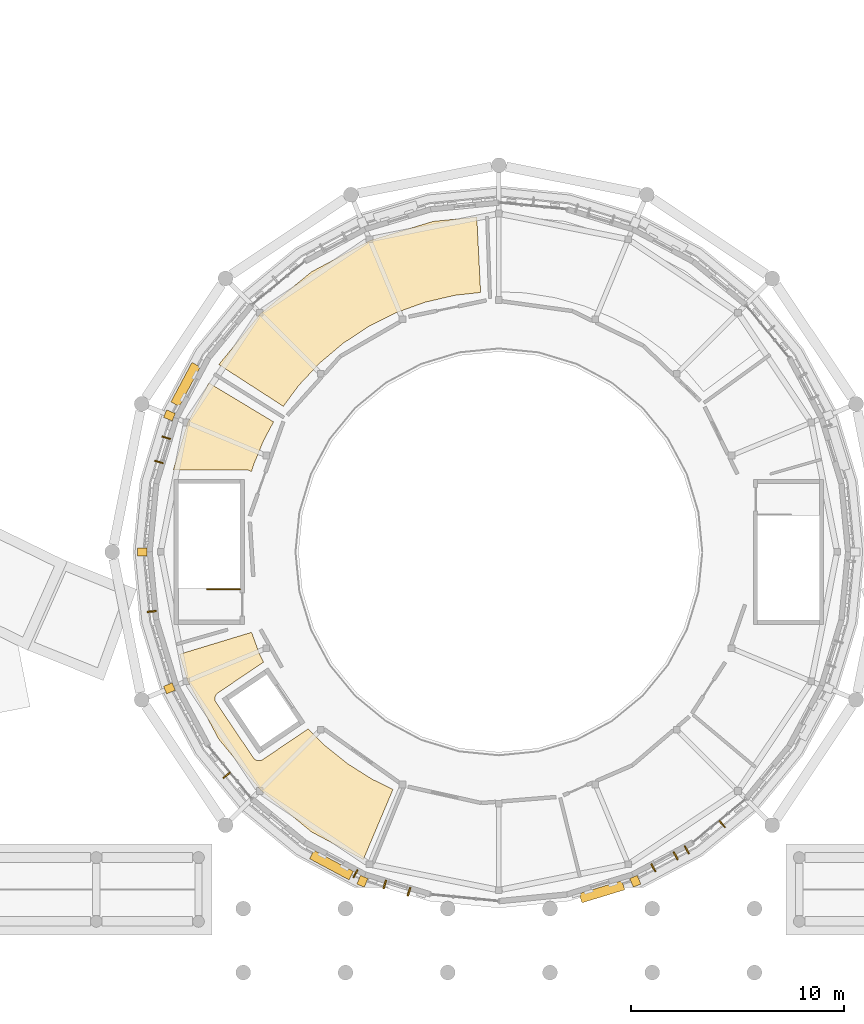
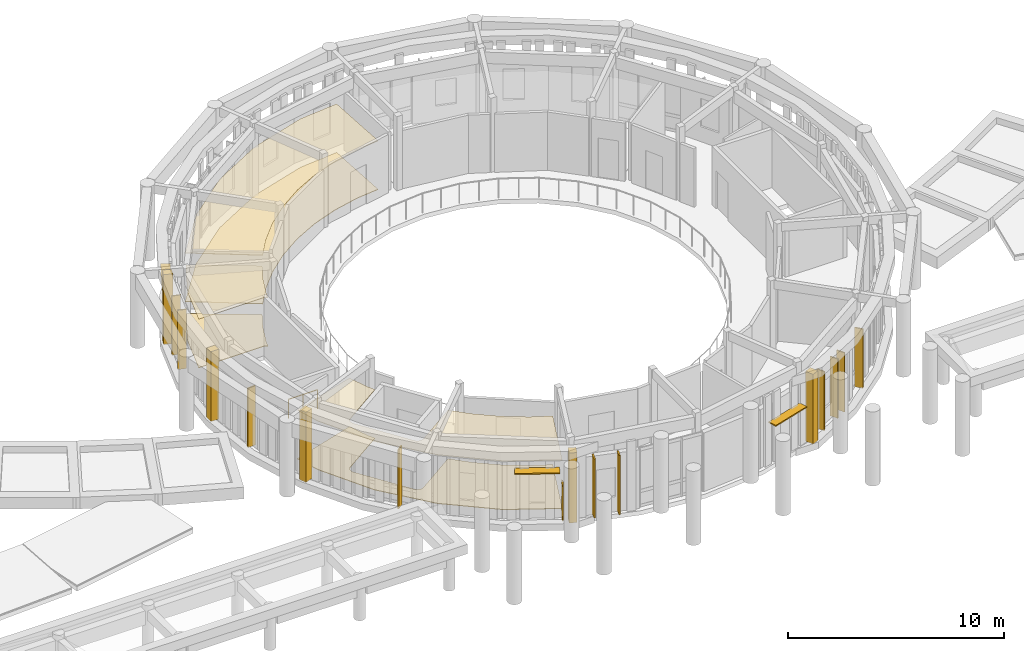
# One storey, part 69 of 80: 14 shading devices, 11 coverings, 1 railing.
"""IFC4 building model written with IfcOpenShell, lengths in metres."""

from ifc_helpers import new_model, si_unit, direction, frame, origin, origin_2d, place, context, subcontext, project, spatial, polyline, rectangle, circle, outline, extrude, material, layer, layer_set, type_object, element, save


model = new_model("IFC4")

# Units and contexts
model_context = context("Model", 3, precision=1e-05, world=origin(), true_north=direction((0.0, 1.0)))
body_context = subcontext(model_context, "Body", "Model", "MODEL_VIEW")
ifc_project = project(units=[si_unit("LENGTHUNIT", "METRE"), si_unit("AREAUNIT", "SQUARE_METRE"), si_unit("VOLUMEUNIT", "CUBIC_METRE"), si_unit("PLANEANGLEUNIT", "RADIAN"), si_unit("MASSUNIT", "GRAM", prefix="KILO")], contexts=[model_context])

# Site, building, storey
site_placement = place(None, origin())
site = spatial("IfcSite", under=ifc_project, at=site_placement, CompositionType="ELEMENT")
building_placement = place(site_placement, origin())
building = spatial("IfcBuilding", under=site, at=building_placement, Name="Aldenvaro Health Centre", CompositionType="ELEMENT")
storey_placement = place(building_placement, frame((0.0, 0.0, 4.550048828125)))
storey = spatial("IfcBuildingStorey", under=building, at=storey_placement, Name="L01", CompositionType="ELEMENT", Elevation=4.550048828125)

# Coverings
ifc_material_1 = material(Name="Perforated Douglas Fir Slatted Ceiling")
ifc_layer_1 = layer(ifc_material_1, 0.031982421875, Name="Perforated Douglas Fir Slatted Ceiling")
ifc_layer_set_1 = layer_set([ifc_layer_1], Name="Perforated Douglas Fir Slatted Ceiling")
covering_type_1 = type_object("IfcCoveringType", Name="COV-CLG-WD32", PredefinedType="CEILING", material=ifc_layer_set_1)
covering_1_placement = place(storey_placement, frame((0.0, 0.0, 2.75)))
element("IfcCovering", 1, at=covering_1_placement, inside=storey, type_object=covering_type_1, Name="D1-L01-R02 Suspended Ceiling", PredefinedType="CEILING", context=body_context, shape_type="SweptSolid", body=[
    extrude(outline(polyline([(73.85107421875, 28.7919921875), (75.81396484375, 31.18603515625), (78.2119140625, 33.153076171875), (80.946044921875, 34.614013671875), (83.9140625, 35.514892578125), (85.964111328125, 35.716064453125), (86.14306640625, 32.177978515625), (84.9599609375, 32.048095703125), (84.931884765625, 32.04296875), (83.552978515625, 31.722900390625), (83.52587890625, 31.715087890625), (82.194091796875, 31.235107421875), (82.16796875, 31.22412109375), (80.902099609375, 30.590087890625), (80.8779296875, 30.574951171875), (79.696044921875, 29.7958984375), (79.673095703125, 29.779052734375), (78.591064453125, 28.865966796875), (78.571044921875, 28.846923828125), (77.60400390625, 27.81201171875), (77.5859375, 27.7900390625), (76.882080078125, 26.83203125), (73.85107421875, 28.7919921875)])), origin(), (0.0, 0.0, 1.0), 0.031982421875),
])
covering_2_placement = place(storey_placement, frame((0.0, 0.0, 2.75)))
element("IfcCovering", 2, at=covering_2_placement, inside=storey, type_object=covering_type_1, Name="D1-L01-R03 Suspended Ceiling", PredefinedType="CEILING", context=body_context, shape_type="SweptSolid", body=[
    extrude(outline(polyline([(75.385009765625, 23.757080078125), (75.382080078125, 23.760009765625), (75.364013671875, 23.77490234375), (75.35693359375, 23.779052734375), (75.337890625, 23.7919921875), (75.3310546875, 23.7958984375), (75.31005859375, 23.80810546875), (75.302978515625, 23.81103515625), (75.281005859375, 23.820068359375), (75.27392578125, 23.822998046875), (75.251953125, 23.8291015625), (75.243896484375, 23.8310546875), (75.220947265625, 23.8359375), (75.212890625, 23.8369140625), (75.18994140625, 23.839111328125), (75.181884765625, 23.840087890625), (75.169921875, 23.840087890625), (71.714111328125, 23.840087890625), (72.385986328125, 26.053955078125), (73.388916015625, 27.929931640625), (76.423095703125, 26.10009765625), (75.9599609375, 25.238037109375), (75.948974609375, 25.216064453125), (75.489013671875, 24.10009765625), (75.48095703125, 24.077880859375), (75.385009765625, 23.757080078125)])), origin(), (0.0, 0.0, 1.0), 0.031982421875),
])
covering_3_placement = place(storey_placement, frame((0.0, 0.0, 2.75)))
element("IfcCovering", 3, at=covering_3_placement, inside=storey, type_object=covering_type_1, Name="D1-L01-R04 Suspended Ceiling", PredefinedType="CEILING", context=body_context, shape_type="SweptSolid", body=[
    extrude(outline(polyline([(75.18896484375, 16.160888671875), (75.18994140625, 16.160888671875), (75.212890625, 16.1630859375), (75.220947265625, 16.1640625), (75.243896484375, 16.1689453125), (75.251953125, 16.1708984375), (75.27392578125, 16.177001953125), (75.281005859375, 16.179931640625), (75.302978515625, 16.18896484375), (75.31005859375, 16.19189453125), (75.3310546875, 16.2041015625), (75.33203125, 16.2041015625), (75.389892578125, 16.221923828125), (75.760986328125, 15.202880859375), (75.77197265625, 15.178955078125), (75.948974609375, 14.821044921875), (73.80908203125, 13.3759765625), (73.799072265625, 13.368896484375), (73.79296875, 13.364013671875), (73.77490234375, 13.34912109375), (73.76904296875, 13.343994140625), (73.751953125, 13.326904296875), (73.7470703125, 13.321044921875), (73.73193359375, 13.302978515625), (73.72802734375, 13.297119140625), (73.715087890625, 13.277099609375), (73.7109375, 13.27001953125), (73.699951171875, 13.25), (73.696044921875, 13.242919921875), (73.68701171875, 13.220947265625), (73.68505859375, 13.212890625), (73.677978515625, 13.19091796875), (73.676025390625, 13.18310546875), (73.672119140625, 13.159912109375), (73.6708984375, 13.152099609375), (73.66796875, 13.12890625), (73.66796875, 13.12109375), (73.66796875, 13.096923828125), (73.6689453125, 13.090087890625), (73.6708984375, 13.06591796875), (73.672119140625, 13.05810546875), (73.677001953125, 13.034912109375), (73.678955078125, 13.028076171875), (73.68603515625, 13.0048828125), (73.68798828125, 12.998046875), (73.697998046875, 12.97607421875), (73.700927734375, 12.968994140625), (73.7119140625, 12.947998046875), (73.716064453125, 12.94189453125), (73.722900390625, 12.931884765625), (75.472900390625, 10.3369140625), (75.47998046875, 10.326904296875), (75.485107421875, 10.321044921875), (75.5, 10.302978515625), (75.5048828125, 10.297119140625), (75.52197265625, 10.280029296875), (75.527099609375, 10.27490234375), (75.5458984375, 10.260009765625), (75.552001953125, 10.256103515625), (75.572021484375, 10.242919921875), (75.577880859375, 10.239013671875), (75.59912109375, 10.22802734375), (75.60595703125, 10.22412109375), (75.6279296875, 10.215087890625), (75.635986328125, 10.212890625), (75.657958984375, 10.2060546875), (75.666015625, 10.2041015625), (75.68896484375, 10.199951171875), (75.697021484375, 10.198974609375), (75.719970703125, 10.196044921875), (75.72802734375, 10.196044921875), (75.751953125, 10.196044921875), (75.759033203125, 10.197021484375), (75.782958984375, 10.198974609375), (75.791015625, 10.199951171875), (75.81396484375, 10.205078125), (75.821044921875, 10.20703125), (75.843994140625, 10.214111328125), (75.85107421875, 10.216064453125), (75.873046875, 10.22607421875), (75.8798828125, 10.22900390625), (75.90087890625, 10.239990234375), (75.906982421875, 10.243896484375), (75.9169921875, 10.2509765625), (78.051025390625, 11.69091796875), (78.85693359375, 10.888916015625), (78.876953125, 10.87109375), (79.902099609375, 10.052978515625), (79.923095703125, 10.0380859375), (81.031982421875, 9.3369140625), (81.054931640625, 9.323974609375), (82.029052734375, 8.847900390625), (80.635986328125, 5.552001953125), (78.2119140625, 6.846923828125), (75.81396484375, 8.81396484375), (73.846923828125, 11.2119140625), (72.385986328125, 13.946044921875), (72.007080078125, 15.194091796875), (75.18896484375, 16.160888671875)])), origin(), (0.0, 0.0, 1.0), 0.031982421875),
])
ifc_material_2 = material(Name="Honed Sonoran Buff Limestone", Category="masonry")
ifc_layer_2 = layer(ifc_material_2, 0.280029296875, Name="Honed Sonoran Buff Limestone", Category="masonry")
ifc_layer_set_2 = layer_set([ifc_layer_2], Name="Honed Sonoran Buff Limestone")
covering_type_2 = type_object("IfcCoveringType", Name="COV-CRN-STN", PredefinedType="CLADDING", material=ifc_layer_set_2)
for number, where, z_axis, x_axis, name in (
    (4, (93.406005859375, 4.533935546875, 0.0), (0.0, 0.0, 1.0), (0.382674902345, -0.923883065715, 0.0), "D1 L01 Engaged Classical Limestone Pilaster 04"),
    (5, (80.593994140625, 4.533935546875, 0.0), (0.0, 0.0, 1.0), (-0.382674902345, -0.923883065715, 0.0), "D1 L01 Engaged Classical Limestone Pilaster 06"),
    (6, (71.533935546875, 13.593994140625, 0.0), (0.0, 0.0, 1.0), (-0.923883065715, -0.382674902345, 0.0), "D1 L01 Engaged Classical Limestone Pilaster 08"),
    (7, (70.260009765625, 20.0, 0.0), (0.0, 0.0, 1.0), (-1.0, 0.0, 0.0), "D1 L01 Engaged Classical Limestone Pilaster 09"),
    (8, (71.533935546875, 26.406005859375, 0.0), (0.0, 0.0, 1.0), (-0.923883065715, 0.382674902345, 0.0), "D1 L01 Engaged Classical Limestone Pilaster 10"),
):
    element("IfcCovering", number, at=place(storey_placement, frame(where, z_axis=z_axis, x_axis=x_axis)), inside=storey, type_object=covering_type_2, Name=name, PredefinedType="CLADDING", context=body_context, shape_type="SweptSolid", body=[
        extrude(rectangle(XDim=0.43994140625, YDim=0.3798828125, at=origin_2d()), origin(), (0.0, 0.0, 1.0), 3.9599609375),
    ])
ifc_material_3 = material(Name="Honed Arizona Limestone Flooring", Category="masonry")
ifc_layer_3 = layer(ifc_material_3, 0.030029296875, Name="Honed Arizona Limestone Flooring", Category="masonry")
ifc_layer_set_3 = layer_set([ifc_layer_3], Name="Honed Arizona Limestone Flooring")
covering_type_3 = type_object("IfcCoveringType", Name="COV-FLR-STN30", PredefinedType="FLOORING", material=ifc_layer_set_3)
covering_4_placement = place(storey_placement, origin())
element("IfcCovering", 9, at=covering_4_placement, inside=storey, type_object=covering_type_3, Name="D1-L01-R02 Flooring", PredefinedType="FLOORING", context=body_context, shape_type="SweptSolid", body=[
    extrude(outline(polyline([(73.85107421875, 28.7919921875), (75.81396484375, 31.18603515625), (78.2119140625, 33.153076171875), (80.946044921875, 34.614013671875), (83.9140625, 35.514892578125), (85.964111328125, 35.716064453125), (86.14306640625, 32.177978515625), (84.9599609375, 32.048095703125), (84.931884765625, 32.04296875), (83.552978515625, 31.722900390625), (83.52587890625, 31.715087890625), (82.194091796875, 31.235107421875), (82.16796875, 31.22412109375), (80.902099609375, 30.590087890625), (80.8779296875, 30.574951171875), (79.696044921875, 29.7958984375), (79.673095703125, 29.779052734375), (78.591064453125, 28.865966796875), (78.571044921875, 28.846923828125), (77.60400390625, 27.81201171875), (77.5859375, 27.7900390625), (76.882080078125, 26.83203125), (73.85107421875, 28.7919921875)])), origin(), (0.0, 0.0, 1.0), 0.030029296875),
])
covering_5_placement = place(storey_placement, origin())
element("IfcCovering", 10, at=covering_5_placement, inside=storey, type_object=covering_type_3, Name="D1-L01-R03 Flooring", PredefinedType="FLOORING", context=body_context, shape_type="SweptSolid", body=[
    extrude(outline(polyline([(75.385009765625, 23.757080078125), (75.382080078125, 23.760009765625), (75.364013671875, 23.77490234375), (75.35693359375, 23.779052734375), (75.337890625, 23.7919921875), (75.3310546875, 23.7958984375), (75.31005859375, 23.80810546875), (75.302978515625, 23.81103515625), (75.281005859375, 23.820068359375), (75.27392578125, 23.822998046875), (75.251953125, 23.8291015625), (75.243896484375, 23.8310546875), (75.220947265625, 23.8359375), (75.212890625, 23.8369140625), (75.18994140625, 23.839111328125), (75.181884765625, 23.840087890625), (75.169921875, 23.840087890625), (71.714111328125, 23.840087890625), (72.385986328125, 26.053955078125), (73.388916015625, 27.929931640625), (76.423095703125, 26.10009765625), (75.9599609375, 25.238037109375), (75.948974609375, 25.216064453125), (75.489013671875, 24.10009765625), (75.48095703125, 24.077880859375), (75.385009765625, 23.757080078125)])), origin(), (0.0, 0.0, 1.0), 0.030029296875),
])
covering_6_placement = place(storey_placement, origin())
element("IfcCovering", 11, at=covering_6_placement, inside=storey, type_object=covering_type_3, Name="D1-L01-R04 Flooring", PredefinedType="FLOORING", context=body_context, shape_type="SweptSolid", body=[
    extrude(outline(polyline([(75.18896484375, 16.160888671875), (75.18994140625, 16.160888671875), (75.212890625, 16.1630859375), (75.220947265625, 16.1640625), (75.243896484375, 16.1689453125), (75.251953125, 16.1708984375), (75.27392578125, 16.177001953125), (75.281005859375, 16.179931640625), (75.302978515625, 16.18896484375), (75.31005859375, 16.19189453125), (75.3310546875, 16.2041015625), (75.33203125, 16.2041015625), (75.389892578125, 16.221923828125), (75.760986328125, 15.202880859375), (75.77197265625, 15.178955078125), (75.948974609375, 14.821044921875), (73.80908203125, 13.3759765625), (73.799072265625, 13.368896484375), (73.79296875, 13.364013671875), (73.77490234375, 13.34912109375), (73.76904296875, 13.343994140625), (73.751953125, 13.326904296875), (73.7470703125, 13.321044921875), (73.73193359375, 13.302978515625), (73.72802734375, 13.297119140625), (73.715087890625, 13.277099609375), (73.7109375, 13.27001953125), (73.699951171875, 13.25), (73.696044921875, 13.242919921875), (73.68701171875, 13.220947265625), (73.68505859375, 13.212890625), (73.677978515625, 13.19091796875), (73.676025390625, 13.18310546875), (73.672119140625, 13.159912109375), (73.6708984375, 13.152099609375), (73.66796875, 13.12890625), (73.66796875, 13.12109375), (73.66796875, 13.096923828125), (73.6689453125, 13.090087890625), (73.6708984375, 13.06591796875), (73.672119140625, 13.05810546875), (73.677001953125, 13.034912109375), (73.678955078125, 13.028076171875), (73.68603515625, 13.0048828125), (73.68798828125, 12.998046875), (73.697998046875, 12.97607421875), (73.700927734375, 12.968994140625), (73.7119140625, 12.947998046875), (73.716064453125, 12.94189453125), (73.722900390625, 12.931884765625), (75.472900390625, 10.3369140625), (75.47998046875, 10.326904296875), (75.485107421875, 10.321044921875), (75.5, 10.302978515625), (75.5048828125, 10.297119140625), (75.52197265625, 10.280029296875), (75.527099609375, 10.27490234375), (75.5458984375, 10.260009765625), (75.552001953125, 10.256103515625), (75.572021484375, 10.242919921875), (75.577880859375, 10.239013671875), (75.59912109375, 10.22802734375), (75.60595703125, 10.22412109375), (75.6279296875, 10.215087890625), (75.635986328125, 10.212890625), (75.657958984375, 10.2060546875), (75.666015625, 10.2041015625), (75.68896484375, 10.199951171875), (75.697021484375, 10.198974609375), (75.719970703125, 10.196044921875), (75.72802734375, 10.196044921875), (75.751953125, 10.196044921875), (75.759033203125, 10.197021484375), (75.782958984375, 10.198974609375), (75.791015625, 10.199951171875), (75.81396484375, 10.205078125), (75.821044921875, 10.20703125), (75.843994140625, 10.214111328125), (75.85107421875, 10.216064453125), (75.873046875, 10.22607421875), (75.8798828125, 10.22900390625), (75.90087890625, 10.239990234375), (75.906982421875, 10.243896484375), (75.9169921875, 10.2509765625), (78.051025390625, 11.69091796875), (78.85693359375, 10.888916015625), (78.876953125, 10.87109375), (79.902099609375, 10.052978515625), (79.923095703125, 10.0380859375), (81.031982421875, 9.3369140625), (81.054931640625, 9.323974609375), (82.029052734375, 8.847900390625), (80.635986328125, 5.552001953125), (78.2119140625, 6.846923828125), (75.81396484375, 8.81396484375), (73.846923828125, 11.2119140625), (72.385986328125, 13.946044921875), (72.007080078125, 15.194091796875), (75.18896484375, 16.160888671875)])), origin(), (0.0, 0.0, 1.0), 0.030029296875),
])

# Railing
ifc_material_4 = material(Name="Painted Architectural Steel", Category="steel")
railing_type = type_object("IfcRailingType", Name="RL-BAL-INT", PredefinedType="BALUSTRADE", material=ifc_material_4)
railing_placement = place(storey_placement, frame((74.85009765625, 18.25, 0.0)))
element("IfcRailing", 12, at=railing_placement, inside=storey, type_object=railing_type, Name="L01 ST-01 top well guard 1", PredefinedType="BALUSTRADE", context=body_context, shape_type="SweptSolid", body=[
    extrude(circle(Radius=0.02392578125, at=origin_2d()), frame((0.0, 0.0, 1.076171875), z_axis=(-1.0, 0.0, 0.0), x_axis=(0.0, -1.0, 0.0)), (0.0, 0.0, 1.0), 1.550048828125),
    extrude(circle(Radius=0.02099609375, at=origin_2d()), origin(), (0.0, 0.0, 1.0), 1.052001953125),
    extrude(circle(Radius=0.02099609375, at=origin_2d()), frame((-0.77490234375, 0.0, 0.0)), (0.0, 0.0, 1.0), 1.052001953125),
    extrude(circle(Radius=0.02099609375, at=origin_2d()), frame((-1.550048828125, 0.0, 0.0)), (0.0, 0.0, 1.0), 1.052001953125),
])

# Shading devices
ifc_material_5 = material(Name="Douglas Fir Exterior Glulam GL28h", Category="wood")
shading_device_type_1 = type_object("IfcShadingDeviceType", Name="SHD-FIN-205", PredefinedType="USERDEFINED", material=ifc_material_5)
shading_device_1_placement = place(storey_placement, frame((80.27099609375, 4.89208984375, -0.02001953125), z_axis=(0.0, 0.0, 1.0), x_axis=(-0.88183578132, 0.471556629455, 0.0)))
element("IfcShadingDevice", 13, at=shading_device_1_placement, inside=storey, type_object=shading_device_type_1, Name="D1 L01 Douglas fir fin 11.1", ObjectType="FIN", PredefinedType="USERDEFINED", context=body_context, shape_type="SweptSolid", body=[
    extrude(rectangle(XDim=0.06494140625, YDim=0.419921875, at=origin_2d()), origin(), (0.0, 0.0, 1.0), 2.050048828125),
])
shading_device_type_2 = type_object("IfcShadingDeviceType", Name="SHD-FIN-340", PredefinedType="USERDEFINED", material=ifc_material_5)
for number, where, z_axis, x_axis, name in (
    (14, (82.780029296875, 4.0419921875, -0.02001953125), (0.0, 0.0, 1.0), (-0.95697469172, 0.290171396605, 0.0), "D1 L01 Douglas fir fin 10.2"),
    (15, (81.64306640625, 4.385986328125, -0.02001953125), (0.0, 0.0, 1.0), (-0.95697469172, 0.290171396605, 0.0), "D1 L01 Douglas fir fin 10.4"),
    (16, (70.699951171875, 17.201904296875, -0.02001953125), (0.0, 0.0, 1.0), (-0.097994340783, 0.995186971968, 0.0), "D1 L01 Douglas fir fin 16.1"),
):
    element("IfcShadingDevice", number, at=place(storey_placement, frame(where, z_axis=z_axis, x_axis=x_axis)), inside=storey, type_object=shading_device_type_2, Name=name, ObjectType="FIN", PredefinedType="USERDEFINED", context=body_context, shape_type="SweptSolid", body=[
        extrude(rectangle(XDim=0.074951171875, YDim=0.419921875, at=origin_2d()), origin(), (0.0, 0.0, 1.0), 3.35400390625),
    ])
shading_device_type_3 = type_object("IfcShadingDeviceType", Name="SHD-FIN-420", PredefinedType="USERDEFINED", material=ifc_material_5)
shading_device_2_placement = place(storey_placement, frame((74.220947265625, 9.512939453125, -0.02001953125), z_axis=(0.0, 0.0, 1.0), x_axis=(-0.634168850528, 0.773194586776, 0.0)))
element("IfcShadingDevice", 17, at=shading_device_2_placement, inside=storey, type_object=shading_device_type_3, Name="D1 L01 vertical timber fin 13.0", ObjectType="FIN", PredefinedType="USERDEFINED", context=body_context, shape_type="SweptSolid", body=[
    extrude(rectangle(XDim=0.06494140625, YDim=0.419921875, at=origin_2d()), origin(), (0.0, 0.0, 1.0), 3.35400390625),
])
shading_device_type_4 = type_object("IfcShadingDeviceType", Name="SHD-FIN-435", PredefinedType="USERDEFINED", material=ifc_material_5)
for number, where, z_axis, x_axis, name in (
    (18, (95.822998046875, 6.011962890625, -0.02001953125), (0.0, 0.0, 1.0), (-0.88183578132, -0.471556629455, 0.0), "D1 L01 Douglas fir fin 6.1"),
    (19, (95.300048828125, 5.73193359375, -0.02001953125), (0.0, 0.0, 1.0), (-0.88183578132, -0.471556629455, 0.0), "D1 L01 Douglas fir fin 6.2"),
    (20, (94.251953125, 5.172119140625, -0.02001953125), (0.0, 0.0, 1.0), (-0.88183578132, -0.471556629455, 0.0), "D1 L01 Douglas fir fin 6.4"),
    (21, (71.0419921875, 24.219970703125, -0.02001953125), (0.0, 0.0, 1.0), (0.290171396605, 0.95697469172, 0.0), "D1 L01 Douglas fir fin 18.2"),
    (22, (71.385986328125, 25.35693359375, -0.02001953125), (0.0, 0.0, 1.0), (0.290171396605, 0.95697469172, 0.0), "D1 L01 Douglas fir fin 18.4"),
):
    element("IfcShadingDevice", number, at=place(storey_placement, frame(where, z_axis=z_axis, x_axis=x_axis)), inside=storey, type_object=shading_device_type_4, Name=name, ObjectType="FIN", PredefinedType="USERDEFINED", context=body_context, shape_type="SweptSolid", body=[
        extrude(rectangle(XDim=0.06494140625, YDim=0.419921875, at=origin_2d()), origin(), (0.0, 0.0, 1.0), 3.35400390625),
    ])
shading_device_type_5 = type_object("IfcShadingDeviceType", Name="SHD-FIN-455", PredefinedType="USERDEFINED", material=ifc_material_5)
shading_device_3_placement = place(storey_placement, frame((97.487060546875, 7.220947265625, -0.02001953125), z_axis=(0.0, 0.0, 1.0), x_axis=(-0.773194586776, -0.634168850528, 0.0)))
element("IfcShadingDevice", 23, at=shading_device_3_placement, inside=storey, type_object=shading_device_type_5, Name="D1 L01 vertical timber fin 5.0", ObjectType="FIN", PredefinedType="USERDEFINED", context=body_context, shape_type="SweptSolid", body=[
    extrude(rectangle(XDim=0.06494140625, YDim=0.419921875, at=origin_2d()), origin(), (0.0, 0.0, 1.0), 3.35400390625),
])
shading_device_type_6 = type_object("IfcShadingDeviceType", Name="SHD-LVR-210", PredefinedType="JALOUSIE", material=ifc_material_5)
for number, where, z_axis, x_axis, name in (
    (24, (91.839111328125, 4.0439453125, 2.29736328125), (0.0, 0.0, 1.0), (-0.95697469172, -0.290171396605, 0.0), "D1 L01 horizontal solar louvre 07"),
    (25, (79.14111328125, 5.294921875, 2.79736328125), (0.0, 0.0, 1.0), (-0.88183578132, 0.471556629455, 0.0), "D1 L01 horizontal solar louvre 11"),
    (26, (72.294921875, 27.85888671875, 2.49755859375), (0.0, 0.0, 1.0), (0.471556629455, 0.88183578132, 0.0), "D1 L01 horizontal solar louvre 19"),
):
    element("IfcShadingDevice", number, at=place(storey_placement, frame(where, z_axis=z_axis, x_axis=x_axis)), inside=storey, type_object=shading_device_type_6, Name=name, PredefinedType="JALOUSIE", context=body_context, shape_type="SweptSolid", body=[
        extrude(rectangle(XDim=2.10009765625, YDim=0.449951171875, at=origin_2d()), origin(), (0.0, 0.0, 1.0), 0.06494140625),
    ])

save(model, "model.ifc")
